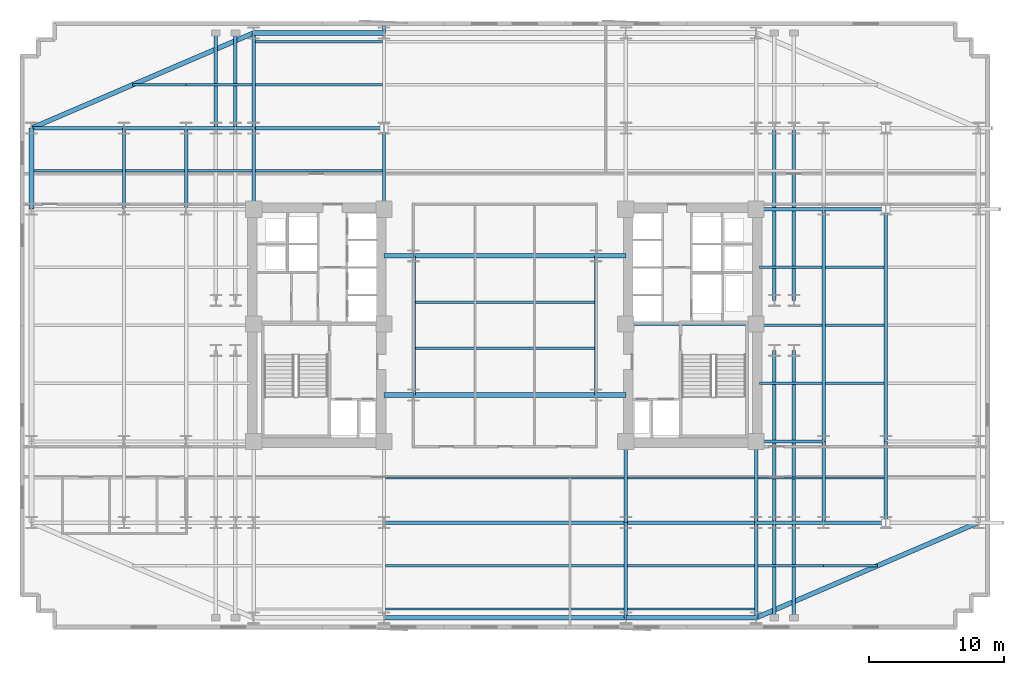
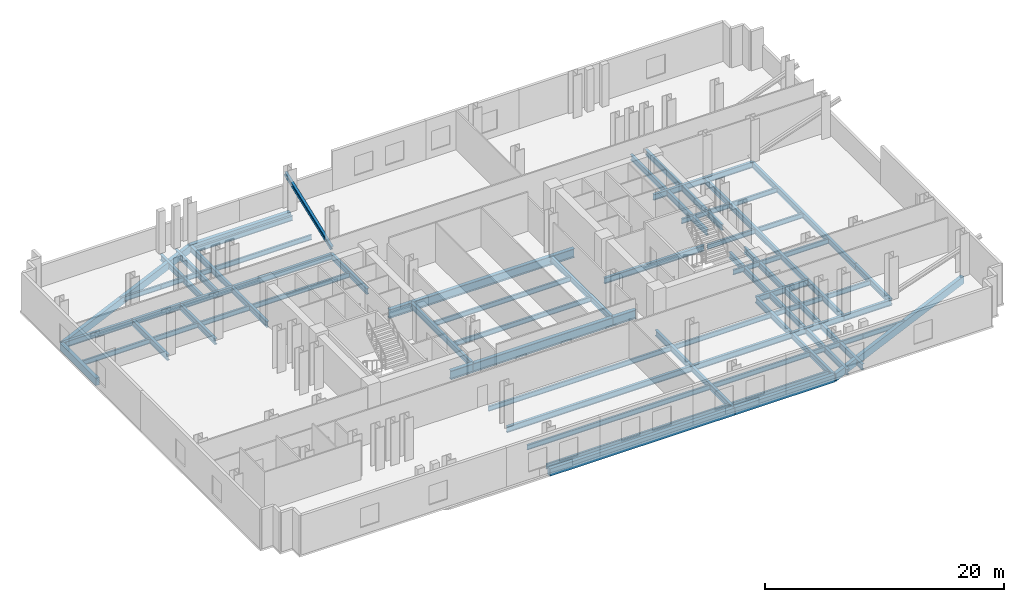
# One storey, part 2 of 9: 73 beams, 1 member.
"""IFC4 building model written with IfcOpenShell, lengths in metres."""

from ifc_helpers import new_model, si_unit, direction, frame, origin, origin_2d, place, context, subcontext, project, spatial, rectangle, i_section, extrude, material, material_profile, profile_set, type_object, element, save


model = new_model("IFC4")

# Units and contexts
model_context = context("Model", 3, precision=1e-05, world=origin(), true_north=direction((0.0, 1.0)))
body_context = subcontext(model_context, "Body", "Model", "MODEL_VIEW")
ifc_project = project(units=[si_unit("LENGTHUNIT", "METRE"), si_unit("AREAUNIT", "SQUARE_METRE"), si_unit("VOLUMEUNIT", "CUBIC_METRE"), si_unit("PLANEANGLEUNIT", "RADIAN"), si_unit("MASSUNIT", "GRAM", prefix="KILO")], contexts=[model_context])

# Site, building, storey
site_placement = place(None, origin())
site = spatial("IfcSite", under=ifc_project, at=site_placement, CompositionType="ELEMENT")
building_placement = place(site_placement, origin())
building = spatial("IfcBuilding", under=site, at=building_placement, Name="Velakula Bourse", CompositionType="ELEMENT")
storey_placement = place(building_placement, frame((0.0, 0.0, 65.699951171875)))
storey = spatial("IfcBuildingStorey", under=building, at=storey_placement, Name="L17", CompositionType="ELEMENT", Elevation=65.699951171875)

# Beams
ifc_material_1 = material(Name="Steel IS 2062 Grade 350 (E350)", Category="steel")
ifc_material_profile_1 = material_profile(ifc_material_1, i_section(OverallWidth=0.25, OverallDepth=0.60009765625, WebThickness=0.01171875, FlangeThickness=0.023681640625, at=origin_2d()), Name="Steel IS 2062 Grade 350 (E350)")
ifc_profile_set_1 = profile_set([ifc_material_profile_1], Name="Steel IS 2062 Grade 350 (E350)")
beam_type_1 = type_object("IfcBeamType", Name="BM-GRD-600H", PredefinedType="BEAM", material=ifc_profile_set_1)
beam_1_placement = place(storey_placement, frame((8.949951171875, 0.10009765625, -0.47998046875), z_axis=(1.0, 0.0, 0.0), x_axis=(0.0, 1.0, 0.0)))
element("IfcBeam", 1, at=beam_1_placement, inside=storey, type_object=beam_type_1, Name="L17 Primary Backbone Girder CRE-M", PredefinedType="BEAM", context=body_context, shape_type="SweptSolid", body=[
    extrude(i_section(OverallWidth=0.25, OverallDepth=0.60009765625, WebThickness=0.01171875, FlangeThickness=0.023681640625, at=origin_2d()), origin(), (0.0, 0.0, 1.0), 9.650146484375),
])
for number, where, z_axis, x_axis, name in (
    (2, (-6.75, -5.14990234375, -0.47998046875), (0.0, 1.0, 0.0), (-1.0, 0.0, 0.0), "L17 Primary Backbone Girder SPN-W"),
    (3, (6.75, -5.14990234375, -0.47998046875), (0.0, 1.0, 0.0), (-1.0, 0.0, 0.0), "L17 Primary Backbone Girder SPN-E"),
):
    element("IfcBeam", number, at=place(storey_placement, frame(where, z_axis=z_axis, x_axis=x_axis)), inside=storey, type_object=beam_type_1, Name=name, PredefinedType="BEAM", context=body_context, shape_type="SweptSolid", body=[
        extrude(i_section(OverallWidth=0.25, OverallDepth=0.60009765625, WebThickness=0.01171875, FlangeThickness=0.023681640625, at=origin_2d()), origin(), (0.0, 0.0, 1.0), 10.2998046875),
    ])
for number, where, z_axis, x_axis, name in (
    (4, (-18.60009765625, 8.60009765625, -0.47998046875), (0.0, 1.0, 0.0), (-1.0, 0.0, 0.0), "L17 Fulcrum Grid Girder FLC-WN"),
    (5, (-8.949951171875, 8.60009765625, -0.47998046875), (0.0, 1.0, 0.0), (-1.0, 0.0, 0.0), "L17 Fulcrum Grid Girder FLC-WCN"),
    (6, (8.949951171875, -14.60009765625, -0.47998046875), (0.0, 1.0, 0.0), (-1.0, 0.0, 0.0), "L17 Fulcrum Grid Girder FLC-ECS"),
    (7, (18.60009765625, -14.60009765625, -0.47998046875), (0.0, 1.0, 0.0), (-1.0, 0.0, 0.0), "L17 Fulcrum Grid Girder FLC-ES"),
):
    element("IfcBeam", number, at=place(storey_placement, frame(where, z_axis=z_axis, x_axis=x_axis)), inside=storey, type_object=beam_type_1, Name=name, PredefinedType="BEAM", context=body_context, shape_type="SweptSolid", body=[
        extrude(i_section(OverallWidth=0.25, OverallDepth=0.60009765625, WebThickness=0.01171875, FlangeThickness=0.023681640625, at=origin_2d()), origin(), (0.0, 0.0, 1.0), 6.0),
    ])
beam_2_placement = place(storey_placement, frame((-8.949951171875, -14.60009765625, -0.47998046875), z_axis=(1.0, 0.0, 0.0), x_axis=(0.0, 1.0, 0.0)))
element("IfcBeam", 8, at=beam_2_placement, inside=storey, type_object=beam_type_1, Name="L17 Fulcrum Grid Girder FLC-S2", PredefinedType="BEAM", context=body_context, shape_type="SweptSolid", body=[
    extrude(i_section(OverallWidth=0.25, OverallDepth=0.60009765625, WebThickness=0.01171875, FlangeThickness=0.023681640625, at=origin_2d()), origin(), (0.0, 0.0, 1.0), 17.89990234375),
])
for number, where, z_axis, x_axis, name in (
    (9, (8.949951171875, -14.60009765625, -0.47998046875), (1.0, 0.0, 0.0), (0.0, 1.0, 0.0), "L17 Fulcrum Grid Girder FLC-S3"),
    (10, (-18.60009765625, 14.60009765625, -0.47998046875), (1.0, 0.0, 0.0), (0.0, 1.0, 0.0), "L17 Fulcrum Grid Girder FLC-N1"),
):
    element("IfcBeam", number, at=place(storey_placement, frame(where, z_axis=z_axis, x_axis=x_axis)), inside=storey, type_object=beam_type_1, Name=name, PredefinedType="BEAM", context=body_context, shape_type="SweptSolid", body=[
        extrude(i_section(OverallWidth=0.25, OverallDepth=0.60009765625, WebThickness=0.01171875, FlangeThickness=0.023681640625, at=origin_2d()), origin(), (0.0, 0.0, 1.0), 9.650146484375),
    ])
for number, where, z_axis, x_axis, name in (
    (11, (19.949951171875, -14.60009765625, -0.47998046875), (0.0, 1.0, 0.0), (-1.0, 0.0, 0.0), "L17 Fulcrum Grid Girder FLC-PSE1"),
    (12, (19.949951171875, 1.85009765625, -0.47998046875), (0.0, 1.0, 0.0), (-1.0, 0.0, 0.0), "L17 Fulcrum Grid Girder FLC-PNE1"),
    (13, (21.39990234375, -14.60009765625, -0.47998046875), (0.0, 1.0, 0.0), (-1.0, 0.0, 0.0), "L17 Fulcrum Grid Girder FLC-PSE2"),
    (14, (21.39990234375, 1.85009765625, -0.47998046875), (0.0, 1.0, 0.0), (-1.0, 0.0, 0.0), "L17 Fulcrum Grid Girder FLC-PNE2"),
):
    element("IfcBeam", number, at=place(storey_placement, frame(where, z_axis=z_axis, x_axis=x_axis)), inside=storey, type_object=beam_type_1, Name=name, PredefinedType="BEAM", context=body_context, shape_type="SweptSolid", body=[
        extrude(i_section(OverallWidth=0.25, OverallDepth=0.60009765625, WebThickness=0.01171875, FlangeThickness=0.023681640625, at=origin_2d()), origin(), (0.0, 0.0, 1.0), 12.75),
    ])
beam_3_placement = place(storey_placement, frame((-23.60009765625, 14.60009765625, -0.47998046875), z_axis=(1.0, 0.0, 0.0), x_axis=(0.0, 1.0, 0.0)))
element("IfcBeam", 15, at=beam_3_placement, inside=storey, type_object=beam_type_1, Name="L17 Fulcrum Grid Girder MWG-WN2", PredefinedType="BEAM", context=body_context, shape_type="SweptSolid", body=[
    extrude(i_section(OverallWidth=0.25, OverallDepth=0.60009765625, WebThickness=0.01171875, FlangeThickness=0.023681640625, at=origin_2d()), origin(), (0.0, 0.0, 1.0), 5.0),
])
beam_4_placement = place(storey_placement, frame((-23.60009765625, 8.60009765625, -0.47998046875), z_axis=(0.0, 1.0, 0.0), x_axis=(-1.0, 0.0, 0.0)))
element("IfcBeam", 16, at=beam_4_placement, inside=storey, type_object=beam_type_1, Name="L17 Fulcrum Grid Girder MWG-WNS3", PredefinedType="BEAM", context=body_context, shape_type="SweptSolid", body=[
    extrude(i_section(OverallWidth=0.25, OverallDepth=0.60009765625, WebThickness=0.01171875, FlangeThickness=0.023681640625, at=origin_2d()), origin(), (0.0, 0.0, 1.0), 6.0),
])
for number, where, z_axis, x_axis, name in (
    (17, (18.60009765625, -14.60009765625, -0.47998046875), (1.0, 0.0, 0.0), (0.0, 1.0, 0.0), "L17 Fulcrum Grid Girder MWG-ES1"),
    (18, (18.60009765625, -8.60009765625, -0.47998046875), (1.0, 0.0, 0.0), (0.0, 1.0, 0.0), "L17 Fulcrum Grid Girder MWG-ES2"),
    (19, (18.60009765625, 8.60009765625, -0.47998046875), (1.0, 0.0, 0.0), (0.0, 1.0, 0.0), "L17 Fulcrum Grid Girder MWG-EN1"),
):
    element("IfcBeam", number, at=place(storey_placement, frame(where, z_axis=z_axis, x_axis=x_axis)), inside=storey, type_object=beam_type_1, Name=name, PredefinedType="BEAM", context=body_context, shape_type="SweptSolid", body=[
        extrude(i_section(OverallWidth=0.25, OverallDepth=0.60009765625, WebThickness=0.01171875, FlangeThickness=0.023681640625, at=origin_2d()), origin(), (0.0, 0.0, 1.0), 5.0),
    ])
beam_5_placement = place(storey_placement, frame((23.60009765625, -14.60009765625, -0.47998046875), z_axis=(0.0, 1.0, 0.0), x_axis=(-1.0, 0.0, 0.0)))
element("IfcBeam", 20, at=beam_5_placement, inside=storey, type_object=beam_type_1, Name="L17 Fulcrum Grid Girder MWG-ENS1", PredefinedType="BEAM", context=body_context, shape_type="SweptSolid", body=[
    extrude(i_section(OverallWidth=0.25, OverallDepth=0.60009765625, WebThickness=0.01171875, FlangeThickness=0.023681640625, at=origin_2d()), origin(), (0.0, 0.0, 1.0), 6.0),
])
beam_6_placement = place(storey_placement, frame((23.60009765625, -8.60009765625, -0.47998046875), z_axis=(0.0, 1.0, 0.0), x_axis=(-1.0, 0.0, 0.0)))
element("IfcBeam", 21, at=beam_6_placement, inside=storey, type_object=beam_type_1, Name="L17 Fulcrum Grid Girder MWG-ENS2", PredefinedType="BEAM", context=body_context, shape_type="SweptSolid", body=[
    extrude(i_section(OverallWidth=0.25, OverallDepth=0.60009765625, WebThickness=0.01171875, FlangeThickness=0.023681640625, at=origin_2d()), origin(), (0.0, 0.0, 1.0), 17.2001953125),
])
beam_7_placement = place(storey_placement, frame((-28.199951171875, 14.60009765625, -0.47998046875), z_axis=(1.0, 0.0, 0.0), x_axis=(0.0, 1.0, 0.0)))
element("IfcBeam", 22, at=beam_7_placement, inside=storey, type_object=beam_type_1, Name="L17 Fulcrum Grid Girder WNG-WN2", PredefinedType="BEAM", context=body_context, shape_type="SweptSolid", body=[
    extrude(i_section(OverallWidth=0.25, OverallDepth=0.60009765625, WebThickness=0.01171875, FlangeThickness=0.023681640625, at=origin_2d()), origin(), (0.0, 0.0, 1.0), 4.599853515625),
])
beam_8_placement = place(storey_placement, frame((-28.199951171875, 8.60009765625, -0.47998046875), z_axis=(0.0, 1.0, 0.0), x_axis=(-1.0, 0.0, 0.0)))
element("IfcBeam", 23, at=beam_8_placement, inside=storey, type_object=beam_type_1, Name="L17 Fulcrum Grid Girder WNG-WNS3", PredefinedType="BEAM", context=body_context, shape_type="SweptSolid", body=[
    extrude(i_section(OverallWidth=0.25, OverallDepth=0.60009765625, WebThickness=0.01171875, FlangeThickness=0.023681640625, at=origin_2d()), origin(), (0.0, 0.0, 1.0), 6.0),
])
for number, where, z_axis, x_axis, name in (
    (24, (23.60009765625, -14.60009765625, -0.47998046875), (1.0, 0.0, 0.0), (0.0, 1.0, 0.0), "L17 Fulcrum Grid Girder WNG-ES1"),
    (25, (23.60009765625, 8.60009765625, -0.47998046875), (1.0, 0.0, 0.0), (0.0, 1.0, 0.0), "L17 Fulcrum Grid Girder WNG-EN1"),
):
    element("IfcBeam", number, at=place(storey_placement, frame(where, z_axis=z_axis, x_axis=x_axis)), inside=storey, type_object=beam_type_1, Name=name, PredefinedType="BEAM", context=body_context, shape_type="SweptSolid", body=[
        extrude(i_section(OverallWidth=0.25, OverallDepth=0.60009765625, WebThickness=0.01171875, FlangeThickness=0.023681640625, at=origin_2d()), origin(), (0.0, 0.0, 1.0), 4.599853515625),
    ])
beam_9_placement = place(storey_placement, frame((28.199951171875, -14.60009765625, -0.47998046875), z_axis=(0.0, 1.0, 0.0), x_axis=(-1.0, 0.0, 0.0)))
element("IfcBeam", 26, at=beam_9_placement, inside=storey, type_object=beam_type_1, Name="L17 Fulcrum Grid Girder WNG-ENS1", PredefinedType="BEAM", context=body_context, shape_type="SweptSolid", body=[
    extrude(i_section(OverallWidth=0.25, OverallDepth=0.60009765625, WebThickness=0.01171875, FlangeThickness=0.023681640625, at=origin_2d()), origin(), (0.0, 0.0, 1.0), 6.0),
])
beam_10_placement = place(storey_placement, frame((28.199951171875, -8.60009765625, -0.47998046875), z_axis=(0.0, 1.0, 0.0), x_axis=(-1.0, 0.0, 0.0)))
element("IfcBeam", 27, at=beam_10_placement, inside=storey, type_object=beam_type_1, Name="L17 Fulcrum Grid Girder WNG-ENS2", PredefinedType="BEAM", context=body_context, shape_type="SweptSolid", body=[
    extrude(i_section(OverallWidth=0.25, OverallDepth=0.60009765625, WebThickness=0.01171875, FlangeThickness=0.023681640625, at=origin_2d()), origin(), (0.0, 0.0, 1.0), 17.2001953125),
])
for number, where, z_axis, x_axis, name in (
    (28, (8.949951171875, -14.60009765625, -0.47998046875), (0.0, -1.0, 0.0), (1.0, 0.0, 0.0), "L17 Perimeter Tie Girder S3"),
    (29, (18.60009765625, -14.60009765625, -0.47998046875), (0.0, -1.0, 0.0), (1.0, 0.0, 0.0), "L17 Perimeter Tie Girder S4"),
    (30, (-18.60009765625, 14.60009765625, -0.47998046875), (0.0, 1.0, 0.0), (-1.0, 0.0, 0.0), "L17 Perimeter Tie Girder N1"),
):
    element("IfcBeam", number, at=place(storey_placement, frame(where, z_axis=z_axis, x_axis=x_axis)), inside=storey, type_object=beam_type_1, Name=name, PredefinedType="BEAM", context=body_context, shape_type="SweptSolid", body=[
        extrude(i_section(OverallWidth=0.25, OverallDepth=0.60009765625, WebThickness=0.01171875, FlangeThickness=0.023681640625, at=origin_2d()), origin(), (0.0, 0.0, 1.0), 7.0498046875),
    ])
beam_11_placement = place(storey_placement, frame((-28.199951171875, 14.60009765625, -0.47998046875), z_axis=(-1.0, 0.0, 0.0), x_axis=(0.0, -1.0, 0.0)))
element("IfcBeam", 31, at=beam_11_placement, inside=storey, type_object=beam_type_1, Name="L17 Perimeter Tie Girder W4", PredefinedType="BEAM", context=body_context, shape_type="SweptSolid", body=[
    extrude(i_section(OverallWidth=0.25, OverallDepth=0.60009765625, WebThickness=0.01171875, FlangeThickness=0.023681640625, at=origin_2d()), origin(), (0.0, 0.0, 1.0), 6.85009765625),
])
for number, where, z_axis, x_axis, name in (
    (32, (19.949951171875, -14.60009765625, -0.47998046875), (0.0, -1.0, 0.0), (1.0, 0.0, 0.0), "L17 Perimeter Tie Girder P03"),
    (33, (21.39990234375, -14.60009765625, -0.47998046875), (0.0, -1.0, 0.0), (1.0, 0.0, 0.0), "L17 Perimeter Tie Girder P04"),
    (34, (-21.39990234375, 14.60009765625, -0.47998046875), (0.0, 1.0, 0.0), (-1.0, 0.0, 0.0), "L17 Perimeter Tie Girder P05"),
    (35, (-19.949951171875, 14.60009765625, -0.47998046875), (0.0, 1.0, 0.0), (-1.0, 0.0, 0.0), "L17 Perimeter Tie Girder P06"),
):
    element("IfcBeam", number, at=place(storey_placement, frame(where, z_axis=z_axis, x_axis=x_axis)), inside=storey, type_object=beam_type_1, Name=name, PredefinedType="BEAM", context=body_context, shape_type="SweptSolid", body=[
        extrude(i_section(OverallWidth=0.25, OverallDepth=0.60009765625, WebThickness=0.01171875, FlangeThickness=0.023681640625, at=origin_2d()), origin(), (0.0, 0.0, 1.0), 7.0498046875),
    ])
ifc_material_profile_2 = material_profile(ifc_material_1, i_section(OverallWidth=0.35009765625, OverallDepth=0.89990234375, WebThickness=0.02001953125, FlangeThickness=0.031982421875, at=origin_2d()), Name="Steel IS 2062 Grade 350 (E350)")
ifc_profile_set_2 = profile_set([ifc_material_profile_2], Name="Steel IS 2062 Grade 350 (E350)")
beam_type_2 = type_object("IfcBeamType", Name="BM-LNK-900", PredefinedType="BEAM", material=ifc_profile_set_2)
beam_12_placement = place(storey_placement, frame((-8.949951171875, -5.14990234375, -0.6298828125), z_axis=(1.0, 0.0, 0.0), x_axis=(0.0, 1.0, 0.0)))
element("IfcBeam", 36, at=beam_12_placement, inside=storey, type_object=beam_type_2, Name="L17 Primary Backbone Girder LNK-S1", PredefinedType="BEAM", context=body_context, shape_type="SweptSolid", body=[
    extrude(i_section(OverallWidth=0.35009765625, OverallDepth=0.89990234375, WebThickness=0.02001953125, FlangeThickness=0.031982421875, at=origin_2d()), origin(), (0.0, 0.0, 1.0), 2.199951171875),
])
beam_13_placement = place(storey_placement, frame((-6.75, -5.14990234375, -0.6298828125), z_axis=(1.0, 0.0, 0.0), x_axis=(0.0, 1.0, 0.0)))
element("IfcBeam", 37, at=beam_13_placement, inside=storey, type_object=beam_type_2, Name="L17 Primary Backbone Girder LNK-S2", PredefinedType="BEAM", context=body_context, shape_type="SweptSolid", body=[
    extrude(i_section(OverallWidth=0.35009765625, OverallDepth=0.89990234375, WebThickness=0.02001953125, FlangeThickness=0.031982421875, at=origin_2d()), origin(), (0.0, 0.0, 1.0), 13.5),
])
for number, where, z_axis, x_axis, name in (
    (38, (6.75, -5.14990234375, -0.6298828125), (1.0, 0.0, 0.0), (0.0, 1.0, 0.0), "L17 Primary Backbone Girder LNK-S3"),
    (39, (-8.949951171875, 5.14990234375, -0.6298828125), (1.0, 0.0, 0.0), (0.0, 1.0, 0.0), "L17 Primary Backbone Girder LNK-N1"),
):
    element("IfcBeam", number, at=place(storey_placement, frame(where, z_axis=z_axis, x_axis=x_axis)), inside=storey, type_object=beam_type_2, Name=name, PredefinedType="BEAM", context=body_context, shape_type="SweptSolid", body=[
        extrude(i_section(OverallWidth=0.35009765625, OverallDepth=0.89990234375, WebThickness=0.02001953125, FlangeThickness=0.031982421875, at=origin_2d()), origin(), (0.0, 0.0, 1.0), 2.199951171875),
    ])
beam_14_placement = place(storey_placement, frame((-6.75, 5.14990234375, -0.6298828125), z_axis=(1.0, 0.0, 0.0), x_axis=(0.0, 1.0, 0.0)))
element("IfcBeam", 40, at=beam_14_placement, inside=storey, type_object=beam_type_2, Name="L17 Primary Backbone Girder LNK-N2", PredefinedType="BEAM", context=body_context, shape_type="SweptSolid", body=[
    extrude(i_section(OverallWidth=0.35009765625, OverallDepth=0.89990234375, WebThickness=0.02001953125, FlangeThickness=0.031982421875, at=origin_2d()), origin(), (0.0, 0.0, 1.0), 13.5),
])
beam_15_placement = place(storey_placement, frame((6.75, 5.14990234375, -0.6298828125), z_axis=(1.0, 0.0, 0.0), x_axis=(0.0, 1.0, 0.0)))
element("IfcBeam", 41, at=beam_15_placement, inside=storey, type_object=beam_type_2, Name="L17 Primary Backbone Girder LNK-N3", PredefinedType="BEAM", context=body_context, shape_type="SweptSolid", body=[
    extrude(i_section(OverallWidth=0.35009765625, OverallDepth=0.89990234375, WebThickness=0.02001953125, FlangeThickness=0.031982421875, at=origin_2d()), origin(), (0.0, 0.0, 1.0), 2.199951171875),
])

# Member
ifc_material_profile_3 = material_profile(ifc_material_1, i_section(OverallWidth=0.25, OverallDepth=0.39990234375, WebThickness=0.010498046875, FlangeThickness=0.0126953125, at=origin_2d()), Name="Steel IS 2062 Grade 350 (E350)")
ifc_profile_set_3 = profile_set([ifc_material_profile_3], Name="Steel IS 2062 Grade 350 (E350)")
member_type = type_object("IfcMemberType", Name="BR-TRF-400", PredefinedType="BRACE", material=ifc_profile_set_3)
member_placement = place(storey_placement, frame((-8.949951171875, 14.60009765625, 0.300048828125), z_axis=(0.0, 0.934516931447, 0.355918677282), x_axis=(-1.0, 0.0, 0.0)))
element("IfcMember", 42, at=member_placement, inside=storey, type_object=member_type, Name="L17 Inclined Cantilever Transfer Raking Strut N2", PredefinedType="BRACE", context=body_context, shape_type="SweptSolid", body=[
    extrude(i_section(OverallWidth=0.25, OverallDepth=0.39990234375, WebThickness=0.010498046875, FlangeThickness=0.0126953125, at=origin_2d()), origin(), (0.0, 0.0, 1.0), 8.344482421875),
])

# Beams
ifc_material_profile_4 = material_profile(ifc_material_1, i_section(OverallWidth=0.179931640625, OverallDepth=0.5, WebThickness=0.01025390625, FlangeThickness=0.01708984375, at=origin_2d()), Name="Steel IS 2062 Grade 350 (E350)")
ifc_profile_set_4 = profile_set([ifc_material_profile_4], Name="Steel IS 2062 Grade 350 (E350)")
beam_type_3 = type_object("IfcBeamType", Name="JST-TWR-500", PredefinedType="JOIST", material=ifc_profile_set_4)
beam_16_placement = place(storey_placement, frame((-8.824951171875, -21.0, -0.429931640625), z_axis=(1.0, 0.0, 0.0), x_axis=(0.0, 1.0, 0.0)))
element("IfcBeam", 43, at=beam_16_placement, inside=storey, type_object=beam_type_3, Name="L17 Trading Floor Composite Joist 02", PredefinedType="JOIST", context=body_context, shape_type="SweptSolid", body=[
    extrude(i_section(OverallWidth=0.179931640625, OverallDepth=0.5, WebThickness=0.01025390625, FlangeThickness=0.01708984375, at=origin_2d()), origin(), (0.0, 0.0, 1.0), 17.64990234375),
])
beam_17_placement = place(storey_placement, frame((9.074951171875, -21.0, -0.429931640625), z_axis=(1.0, 0.0, 0.0), x_axis=(0.0, 1.0, 0.0)))
element("IfcBeam", 44, at=beam_17_placement, inside=storey, type_object=beam_type_3, Name="L17 Trading Floor Composite Joist 03", PredefinedType="JOIST", context=body_context, shape_type="SweptSolid", body=[
    extrude(i_section(OverallWidth=0.179931640625, OverallDepth=0.5, WebThickness=0.01025390625, FlangeThickness=0.01708984375, at=origin_2d()), origin(), (0.0, 0.0, 1.0), 9.400146484375),
])
beam_18_placement = place(storey_placement, frame((-8.824951171875, -17.800048828125, -0.429931640625), z_axis=(1.0, 0.0, 0.0), x_axis=(0.0, 1.0, 0.0)))
element("IfcBeam", 45, at=beam_18_placement, inside=storey, type_object=beam_type_3, Name="L17 Trading Floor Composite Joist 07", PredefinedType="JOIST", context=body_context, shape_type="SweptSolid", body=[
    extrude(i_section(OverallWidth=0.179931640625, OverallDepth=0.5, WebThickness=0.01025390625, FlangeThickness=0.01708984375, at=origin_2d()), origin(), (0.0, 0.0, 1.0), 17.64990234375),
])
beam_19_placement = place(storey_placement, frame((9.074951171875, -17.800048828125, -0.429931640625), z_axis=(1.0, 0.0, 0.0), x_axis=(0.0, 1.0, 0.0)))
element("IfcBeam", 46, at=beam_19_placement, inside=storey, type_object=beam_type_3, Name="L17 Trading Floor Composite Joist 08", PredefinedType="JOIST", context=body_context, shape_type="SweptSolid", body=[
    extrude(i_section(OverallWidth=0.179931640625, OverallDepth=0.5, WebThickness=0.01025390625, FlangeThickness=0.01708984375, at=origin_2d()), origin(), (0.0, 0.0, 1.0), 9.400146484375),
])
beam_20_placement = place(storey_placement, frame((18.72509765625, -17.800048828125, -0.429931640625), z_axis=(1.0, 0.0, 0.0), x_axis=(0.0, 1.0, 0.0)))
element("IfcBeam", 47, at=beam_20_placement, inside=storey, type_object=beam_type_3, Name="L17 Trading Floor Composite Joist 09", PredefinedType="JOIST", context=body_context, shape_type="SweptSolid", body=[
    extrude(i_section(OverallWidth=0.179931640625, OverallDepth=0.5, WebThickness=0.01025390625, FlangeThickness=0.01708984375, at=origin_2d()), origin(), (0.0, 0.0, 1.0), 4.875),
])
beam_21_placement = place(storey_placement, frame((23.60009765625, -17.800048828125, -0.429931640625), z_axis=(1.0, 0.0, 0.0), x_axis=(0.0, 1.0, 0.0)))
element("IfcBeam", 48, at=beam_21_placement, inside=storey, type_object=beam_type_3, Name="L17 Trading Floor Composite Joist 10", PredefinedType="JOIST", context=body_context, shape_type="SweptSolid", body=[
    extrude(i_section(OverallWidth=0.179931640625, OverallDepth=0.5, WebThickness=0.01025390625, FlangeThickness=0.01708984375, at=origin_2d()), origin(), (0.0, 0.0, 1.0), 3.983154296875),
])
beam_22_placement = place(storey_placement, frame((-8.824951171875, -11.300048828125, -0.429931640625), z_axis=(1.0, 0.0, 0.0), x_axis=(0.0, 1.0, 0.0)))
element("IfcBeam", 49, at=beam_22_placement, inside=storey, type_object=beam_type_3, Name="L17 Trading Floor Composite Joist 15", PredefinedType="JOIST", context=body_context, shape_type="SweptSolid", body=[
    extrude(i_section(OverallWidth=0.179931640625, OverallDepth=0.5, WebThickness=0.01025390625, FlangeThickness=0.01708984375, at=origin_2d()), origin(), (0.0, 0.0, 1.0), 17.64990234375),
])
beam_23_placement = place(storey_placement, frame((9.074951171875, -11.300048828125, -0.429931640625), z_axis=(1.0, 0.0, 0.0), x_axis=(0.0, 1.0, 0.0)))
element("IfcBeam", 50, at=beam_23_placement, inside=storey, type_object=beam_type_3, Name="L17 Trading Floor Composite Joist 16", PredefinedType="JOIST", context=body_context, shape_type="SweptSolid", body=[
    extrude(i_section(OverallWidth=0.179931640625, OverallDepth=0.5, WebThickness=0.01025390625, FlangeThickness=0.01708984375, at=origin_2d()), origin(), (0.0, 0.0, 1.0), 9.400146484375),
])
beam_24_placement = place(storey_placement, frame((18.72509765625, -11.300048828125, -0.429931640625), z_axis=(1.0, 0.0, 0.0), x_axis=(0.0, 1.0, 0.0)))
element("IfcBeam", 51, at=beam_24_placement, inside=storey, type_object=beam_type_3, Name="L17 Trading Floor Composite Joist 17", PredefinedType="JOIST", context=body_context, shape_type="SweptSolid", body=[
    extrude(i_section(OverallWidth=0.179931640625, OverallDepth=0.5, WebThickness=0.01025390625, FlangeThickness=0.01708984375, at=origin_2d()), origin(), (0.0, 0.0, 1.0), 4.75),
])
beam_25_placement = place(storey_placement, frame((23.72509765625, -11.300048828125, -0.429931640625), z_axis=(1.0, 0.0, 0.0), x_axis=(0.0, 1.0, 0.0)))
element("IfcBeam", 52, at=beam_25_placement, inside=storey, type_object=beam_type_3, Name="L17 Trading Floor Composite Joist 18", PredefinedType="JOIST", context=body_context, shape_type="SweptSolid", body=[
    extrude(i_section(OverallWidth=0.179931640625, OverallDepth=0.5, WebThickness=0.01025390625, FlangeThickness=0.01708984375, at=origin_2d()), origin(), (0.0, 0.0, 1.0), 4.349853515625),
])
beam_26_placement = place(storey_placement, frame((-34.875, 11.449951171875, -0.429931640625), z_axis=(1.0, 0.0, 0.0), x_axis=(0.0, 1.0, 0.0)))
element("IfcBeam", 53, at=beam_26_placement, inside=storey, type_object=beam_type_3, Name="L17 Trading Floor Composite Joist 20", PredefinedType="JOIST", context=body_context, shape_type="SweptSolid", body=[
    extrude(i_section(OverallWidth=0.179931640625, OverallDepth=0.5, WebThickness=0.01025390625, FlangeThickness=0.01708984375, at=origin_2d()), origin(), (0.0, 0.0, 1.0), 6.550048828125),
])
beam_27_placement = place(storey_placement, frame((-28.074951171875, 11.449951171875, -0.429931640625), z_axis=(1.0, 0.0, 0.0), x_axis=(0.0, 1.0, 0.0)))
element("IfcBeam", 54, at=beam_27_placement, inside=storey, type_object=beam_type_3, Name="L17 Trading Floor Composite Joist 21", PredefinedType="JOIST", context=body_context, shape_type="SweptSolid", body=[
    extrude(i_section(OverallWidth=0.179931640625, OverallDepth=0.5, WebThickness=0.01025390625, FlangeThickness=0.01708984375, at=origin_2d()), origin(), (0.0, 0.0, 1.0), 4.349853515625),
])
beam_28_placement = place(storey_placement, frame((-23.47509765625, 11.449951171875, -0.429931640625), z_axis=(1.0, 0.0, 0.0), x_axis=(0.0, 1.0, 0.0)))
element("IfcBeam", 55, at=beam_28_placement, inside=storey, type_object=beam_type_3, Name="L17 Trading Floor Composite Joist 22", PredefinedType="JOIST", context=body_context, shape_type="SweptSolid", body=[
    extrude(i_section(OverallWidth=0.179931640625, OverallDepth=0.5, WebThickness=0.01025390625, FlangeThickness=0.01708984375, at=origin_2d()), origin(), (0.0, 0.0, 1.0), 4.75),
])
beam_29_placement = place(storey_placement, frame((-18.47509765625, 11.449951171875, -0.429931640625), z_axis=(1.0, 0.0, 0.0), x_axis=(0.0, 1.0, 0.0)))
element("IfcBeam", 56, at=beam_29_placement, inside=storey, type_object=beam_type_3, Name="L17 Trading Floor Composite Joist 23", PredefinedType="JOIST", context=body_context, shape_type="SweptSolid", body=[
    extrude(i_section(OverallWidth=0.179931640625, OverallDepth=0.5, WebThickness=0.01025390625, FlangeThickness=0.01708984375, at=origin_2d()), origin(), (0.0, 0.0, 1.0), 9.400146484375),
])
beam_30_placement = place(storey_placement, frame((-27.583251953125, 17.800048828125, -0.429931640625), z_axis=(1.0, 0.0, 0.0), x_axis=(0.0, 1.0, 0.0)))
element("IfcBeam", 57, at=beam_30_placement, inside=storey, type_object=beam_type_3, Name="L17 Trading Floor Composite Joist 29", PredefinedType="JOIST", context=body_context, shape_type="SweptSolid", body=[
    extrude(i_section(OverallWidth=0.179931640625, OverallDepth=0.5, WebThickness=0.01025390625, FlangeThickness=0.01708984375, at=origin_2d()), origin(), (0.0, 0.0, 1.0), 3.983154296875),
])
beam_31_placement = place(storey_placement, frame((-23.60009765625, 17.800048828125, -0.429931640625), z_axis=(1.0, 0.0, 0.0), x_axis=(0.0, 1.0, 0.0)))
element("IfcBeam", 58, at=beam_31_placement, inside=storey, type_object=beam_type_3, Name="L17 Trading Floor Composite Joist 30", PredefinedType="JOIST", context=body_context, shape_type="SweptSolid", body=[
    extrude(i_section(OverallWidth=0.179931640625, OverallDepth=0.5, WebThickness=0.01025390625, FlangeThickness=0.01708984375, at=origin_2d()), origin(), (0.0, 0.0, 1.0), 4.875),
])
for number, where, z_axis, x_axis, name in (
    (59, (-18.47509765625, 17.800048828125, -0.429931640625), (1.0, 0.0, 0.0), (0.0, 1.0, 0.0), "L17 Trading Floor Composite Joist 31"),
    (60, (-18.47509765625, 21.0, -0.429931640625), (1.0, 0.0, 0.0), (0.0, 1.0, 0.0), "L17 Trading Floor Composite Joist 36"),
):
    element("IfcBeam", number, at=place(storey_placement, frame(where, z_axis=z_axis, x_axis=x_axis)), inside=storey, type_object=beam_type_3, Name=name, PredefinedType="JOIST", context=body_context, shape_type="SweptSolid", body=[
        extrude(i_section(OverallWidth=0.179931640625, OverallDepth=0.5, WebThickness=0.01025390625, FlangeThickness=0.01708984375, at=origin_2d()), origin(), (0.0, 0.0, 1.0), 9.400146484375),
    ])
for number, where, z_axis, x_axis, name in (
    (61, (-6.625, -1.699951171875, -0.429931640625), (1.0, 0.0, 0.0), (0.0, 1.0, 0.0), "L17 Trading Floor Composite Joist 39"),
    (62, (-6.625, 1.699951171875, -0.429931640625), (1.0, 0.0, 0.0), (0.0, 1.0, 0.0), "L17 Trading Floor Composite Joist 40"),
):
    element("IfcBeam", number, at=place(storey_placement, frame(where, z_axis=z_axis, x_axis=x_axis)), inside=storey, type_object=beam_type_3, Name=name, PredefinedType="JOIST", context=body_context, shape_type="SweptSolid", body=[
        extrude(i_section(OverallWidth=0.179931640625, OverallDepth=0.5, WebThickness=0.01025390625, FlangeThickness=0.01708984375, at=origin_2d()), origin(), (0.0, 0.0, 1.0), 13.25),
    ])
beam_32_placement = place(storey_placement, frame((18.85009765625, -4.300048828125, -0.429931640625), z_axis=(1.0, 0.0, 0.0), x_axis=(0.0, 1.0, 0.0)))
element("IfcBeam", 63, at=beam_32_placement, inside=storey, type_object=beam_type_3, Name="L17 Trading Floor Composite Joist 44", PredefinedType="JOIST", context=body_context, shape_type="SweptSolid", body=[
    extrude(i_section(OverallWidth=0.179931640625, OverallDepth=0.5, WebThickness=0.01025390625, FlangeThickness=0.01708984375, at=origin_2d()), origin(), (0.0, 0.0, 1.0), 4.625),
])
beam_33_placement = place(storey_placement, frame((23.72509765625, -4.300048828125, -0.429931640625), z_axis=(1.0, 0.0, 0.0), x_axis=(0.0, 1.0, 0.0)))
element("IfcBeam", 64, at=beam_33_placement, inside=storey, type_object=beam_type_3, Name="L17 Trading Floor Composite Joist 45", PredefinedType="JOIST", context=body_context, shape_type="SweptSolid", body=[
    extrude(i_section(OverallWidth=0.179931640625, OverallDepth=0.5, WebThickness=0.01025390625, FlangeThickness=0.01708984375, at=origin_2d()), origin(), (0.0, 0.0, 1.0), 4.349853515625),
])
beam_34_placement = place(storey_placement, frame((18.85009765625, 0.0, -0.429931640625), z_axis=(1.0, 0.0, 0.0), x_axis=(0.0, 1.0, 0.0)))
element("IfcBeam", 65, at=beam_34_placement, inside=storey, type_object=beam_type_3, Name="L17 Trading Floor Composite Joist 50", PredefinedType="JOIST", context=body_context, shape_type="SweptSolid", body=[
    extrude(i_section(OverallWidth=0.179931640625, OverallDepth=0.5, WebThickness=0.01025390625, FlangeThickness=0.01708984375, at=origin_2d()), origin(), (0.0, 0.0, 1.0), 4.625),
])
beam_35_placement = place(storey_placement, frame((23.72509765625, 0.0, -0.429931640625), z_axis=(1.0, 0.0, 0.0), x_axis=(0.0, 1.0, 0.0)))
element("IfcBeam", 66, at=beam_35_placement, inside=storey, type_object=beam_type_3, Name="L17 Trading Floor Composite Joist 51", PredefinedType="JOIST", context=body_context, shape_type="SweptSolid", body=[
    extrude(i_section(OverallWidth=0.179931640625, OverallDepth=0.5, WebThickness=0.01025390625, FlangeThickness=0.01708984375, at=origin_2d()), origin(), (0.0, 0.0, 1.0), 4.349853515625),
])
beam_36_placement = place(storey_placement, frame((18.85009765625, 4.300048828125, -0.429931640625), z_axis=(1.0, 0.0, 0.0), x_axis=(0.0, 1.0, 0.0)))
element("IfcBeam", 67, at=beam_36_placement, inside=storey, type_object=beam_type_3, Name="L17 Trading Floor Composite Joist 56", PredefinedType="JOIST", context=body_context, shape_type="SweptSolid", body=[
    extrude(i_section(OverallWidth=0.179931640625, OverallDepth=0.5, WebThickness=0.01025390625, FlangeThickness=0.01708984375, at=origin_2d()), origin(), (0.0, 0.0, 1.0), 4.625),
])
beam_37_placement = place(storey_placement, frame((23.72509765625, 4.300048828125, -0.429931640625), z_axis=(1.0, 0.0, 0.0), x_axis=(0.0, 1.0, 0.0)))
element("IfcBeam", 68, at=beam_37_placement, inside=storey, type_object=beam_type_3, Name="L17 Trading Floor Composite Joist 57", PredefinedType="JOIST", context=body_context, shape_type="SweptSolid", body=[
    extrude(i_section(OverallWidth=0.179931640625, OverallDepth=0.5, WebThickness=0.01025390625, FlangeThickness=0.01708984375, at=origin_2d()), origin(), (0.0, 0.0, 1.0), 4.349853515625),
])
ifc_material_2 = material(Name="Precast concrete M45 (fck 45 MPa)", Category="concrete")
ifc_material_profile_5 = material_profile(ifc_material_2, rectangle(XDim=0.35009765625, YDim=0.75, at=origin_2d()), Name="Precast concrete M45 (fck 45 MPa)")
ifc_profile_set_5 = profile_set([ifc_material_profile_5], Name="Precast concrete M45 (fck 45 MPa)")
beam_type_4 = type_object("IfcBeamType", Name="SPN-BRICK-750", PredefinedType="SPANDREL", material=ifc_profile_set_5)
beam_38_placement = place(storey_placement, frame((-8.949951171875, -21.64990234375, -0.554931640625), z_axis=(1.0, 0.0, 0.0), x_axis=(0.0, 1.0, 0.0)))
element("IfcBeam", 69, at=beam_38_placement, inside=storey, type_object=beam_type_4, Name="L17 Brick-Faced Precast Spandrel S2-S3", PredefinedType="SPANDREL", context=body_context, shape_type="SweptSolid", body=[
    extrude(rectangle(XDim=0.35009765625, YDim=0.75, at=origin_2d()), origin(), (0.0, 0.0, 1.0), 17.89990234375),
])
for number, where, z_axis, x_axis, name in (
    (70, (8.949951171875, -21.64990234375, -0.554931640625), (1.0, 0.0, 0.0), (0.0, 1.0, 0.0), "L17 Brick-Faced Precast Spandrel S3-S4"),
    (71, (-18.60009765625, 21.64990234375, -0.554931640625), (1.0, 0.0, 0.0), (0.0, 1.0, 0.0), "L17 Brick-Faced Precast Spandrel N1-N2"),
):
    element("IfcBeam", number, at=place(storey_placement, frame(where, z_axis=z_axis, x_axis=x_axis)), inside=storey, type_object=beam_type_4, Name=name, PredefinedType="SPANDREL", context=body_context, shape_type="SweptSolid", body=[
        extrude(rectangle(XDim=0.35009765625, YDim=0.75, at=origin_2d()), origin(), (0.0, 0.0, 1.0), 9.650146484375),
    ])
beam_39_placement = place(storey_placement, frame((-35.050048828125, 8.60009765625, -0.554931640625), z_axis=(0.0, 1.0, 0.0), x_axis=(-1.0, 0.0, 0.0)))
element("IfcBeam", 72, at=beam_39_placement, inside=storey, type_object=beam_type_4, Name="L17 Brick-Faced Precast Spandrel W3-W4", PredefinedType="SPANDREL", context=body_context, shape_type="SweptSolid", body=[
    extrude(rectangle(XDim=0.35009765625, YDim=0.75, at=origin_2d()), origin(), (0.0, 0.0, 1.0), 6.0),
])
for number, where, z_axis, x_axis, name in (
    (73, (18.60009765625, -21.64990234375, -0.554931640625), (0.919148557947, 0.393911066642, 0.0), (-0.393911066642, 0.919148557947, 0.0), "L17 Brick-Faced Precast Spandrel S4-E1"),
    (74, (-18.60009765625, 21.64990234375, -0.554931640625), (-0.919148557947, -0.393911066642, 0.0), (0.393911066642, -0.919148557947, 0.0), "L17 Brick-Faced Precast Spandrel N1-W4"),
):
    element("IfcBeam", number, at=place(storey_placement, frame(where, z_axis=z_axis, x_axis=x_axis)), inside=storey, type_object=beam_type_4, Name=name, PredefinedType="SPANDREL", context=body_context, shape_type="SweptSolid", body=[
        extrude(rectangle(XDim=0.35009765625, YDim=0.75, at=origin_2d()), origin(), (0.0, 0.0, 1.0), 17.89697265625),
    ])

save(model, "model.ifc")
